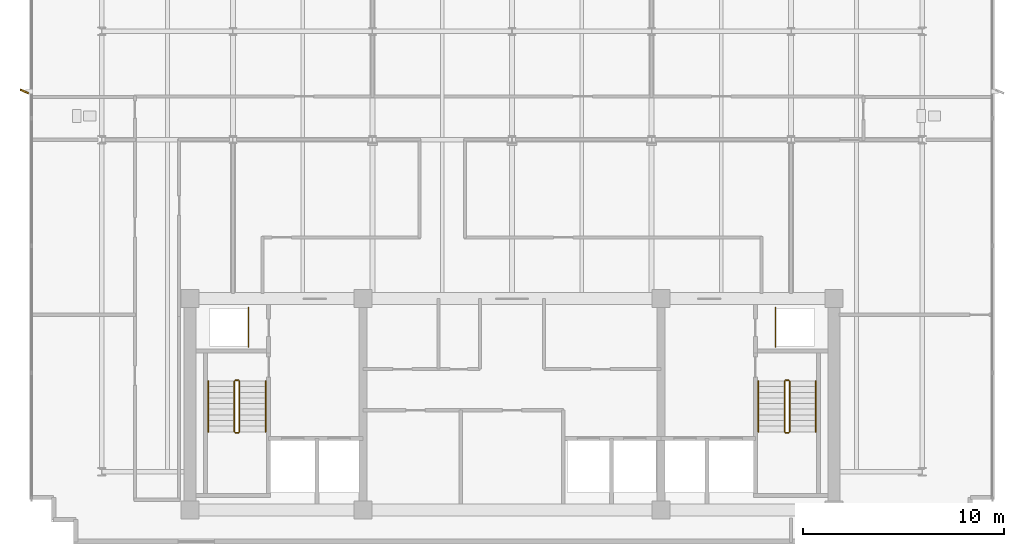
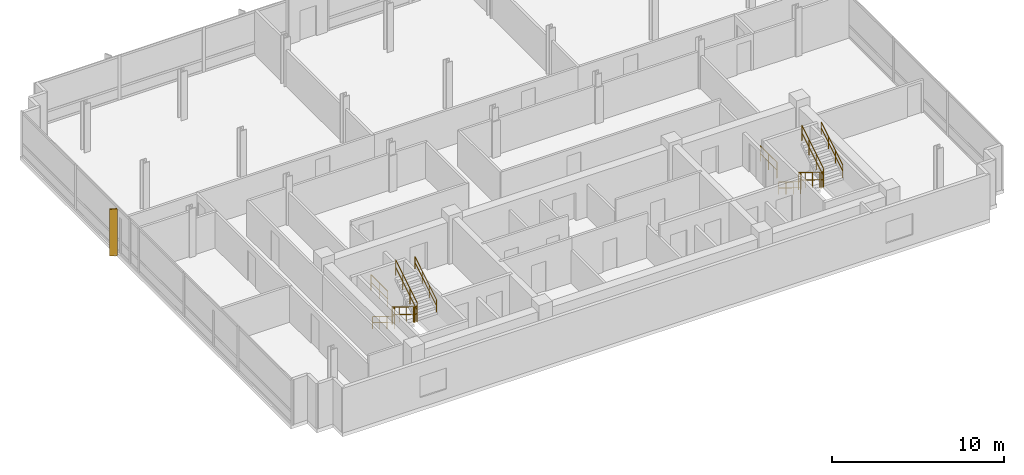
# One storey, part 11 of 13: 14 railings, 1 shading device.
"""IFC4 building model written with IfcOpenShell, lengths in metres."""

from ifc_helpers import new_model, si_unit, direction, frame, origin, origin_2d, place, context, subcontext, project, spatial, rectangle, circle, extrude, material, layer, layer_set, type_object, element, save


model = new_model("IFC4")

# Units and contexts
model_context = context("Model", 3, precision=1e-05, world=origin(), true_north=direction((0.0, 1.0)))
body_context = subcontext(model_context, "Body", "Model", "MODEL_VIEW")
ifc_project = project(units=[si_unit("LENGTHUNIT", "METRE"), si_unit("AREAUNIT", "SQUARE_METRE"), si_unit("VOLUMEUNIT", "CUBIC_METRE"), si_unit("PLANEANGLEUNIT", "RADIAN"), si_unit("MASSUNIT", "GRAM", prefix="KILO")], contexts=[model_context])

# Site, building, storey
site_placement = place(None, origin())
site = spatial("IfcSite", under=ifc_project, at=site_placement, CompositionType="ELEMENT")
building_placement = place(site_placement, origin())
building = spatial("IfcBuilding", under=site, at=building_placement, Name="Solmavex Isthmus Hotel", CompositionType="ELEMENT")
storey_placement = place(building_placement, frame((0.0, 0.0, 276.449951171875)))
storey = spatial("IfcBuildingStorey", under=building, at=storey_placement, Name="L75", CompositionType="ELEMENT", Elevation=276.449951171875)

# Railings
ifc_material_1 = material(Name="Clear low-E laminated glass", Category="glass")
ifc_layer_1 = layer(ifc_material_1, 0.080078125)
ifc_layer_set_1 = layer_set([ifc_layer_1], Name="Clear low-E laminated glass")
railing_type_1 = type_object("IfcRailingType", Name="RAIL-ATRIUM-1120", PredefinedType="BALUSTRADE", material=ifc_layer_set_1)
for number, where, name in (
    (1, (-13.10009765625, -4.89990234375, 0.0), "Guardrail Balustrade L75-RSW-01"),
    (2, (13.10009765625, -4.89990234375, 0.0), "Guardrail Balustrade L75-RSE-01"),
):
    element("IfcRailing", number, at=place(storey_placement, frame(where)), inside=storey, type_object=railing_type_1, Name=name, PredefinedType="BALUSTRADE", context=body_context, shape_type="SweptSolid", body=[
        extrude(circle(Radius=0.02392578125, at=origin_2d()), frame((0.0, 0.0, 1.1259765625), z_axis=(0.0, 1.0, 0.0), x_axis=(-1.0, 0.0, 0.0)), (0.0, 0.0, 1.0), 1.949951171875),
        extrude(circle(Radius=0.02392578125, at=origin_2d()), frame((0.0, 0.0, 0.574951171875), z_axis=(0.0, 1.0, 0.0), x_axis=(-1.0, 0.0, 0.0)), (0.0, 0.0, 1.0), 1.949951171875),
        extrude(circle(Radius=0.02099609375, at=origin_2d()), origin(), (0.0, 0.0, 1.0), 1.101806640625),
        extrude(circle(Radius=0.02099609375, at=origin_2d()), frame((0.0, 0.97509765625, 0.0)), (0.0, 0.0, 1.0), 1.101806640625),
        extrude(circle(Radius=0.02099609375, at=origin_2d()), frame((0.0, 1.949951171875, 0.0)), (0.0, 0.0, 1.0), 1.101806640625),
    ])
ifc_material_2 = material(Name="Stainless steel 316", Category="steel")
ifc_layer_2 = layer(ifc_material_2, 0.06005859375)
ifc_layer_set_2 = layer_set([ifc_layer_2], Name="Stainless steel 316")
railing_type_2 = type_object("IfcRailingType", Name="RAIL-STAIR-GD", PredefinedType="GUARDRAIL", material=ifc_layer_set_2)
railing_1_placement = place(storey_placement, frame((-13.800048828125, -6.60009765625, 0.172607421875)))
element("IfcRailing", 3, at=railing_1_placement, inside=storey, type_object=railing_type_2, Name="L75 ST-1 stair guard 1", PredefinedType="GUARDRAIL", context=body_context, shape_type="SweptSolid", body=[
    extrude(circle(Radius=0.02392578125, at=origin_2d()), frame((0.0, 0.0, 1.09619140625), z_axis=(0.0, -0.851400495292, 0.524516154772), x_axis=(1.0, 0.0, 0.0)), (0.0, 0.0, 1.0), 2.9599609375),
    extrude(circle(Radius=0.02392578125, at=origin_2d()), frame((0.0, 0.0, 0.56005859375), z_axis=(0.0, -0.851400495292, 0.524516154772), x_axis=(1.0, 0.0, 0.0)), (0.0, 0.0, 1.0), 2.9599609375),
    extrude(circle(Radius=0.02099609375, at=origin_2d()), origin(), (0.0, 0.0, 1.0), 1.072021484375),
    extrude(circle(Radius=0.02099609375, at=origin_2d()), frame((0.0, -0.840087890625, 0.517578125)), (0.0, 0.0, 1.0), 1.072021484375),
    extrude(circle(Radius=0.02099609375, at=origin_2d()), frame((0.0, -1.679931640625, 1.034912109375)), (0.0, 0.0, 1.0), 1.072021484375),
    extrude(circle(Radius=0.02099609375, at=origin_2d()), frame((0.0, -2.52001953125, 1.552490234375)), (0.0, 0.0, 1.0), 1.072021484375),
])
railing_2_placement = place(storey_placement, frame((-13.75, -9.169921875, 1.72509765625)))
element("IfcRailing", 4, at=railing_2_placement, inside=storey, type_object=railing_type_2, Name="L75 ST-1 stair guard 2", PredefinedType="GUARDRAIL", context=body_context, shape_type="SweptSolid", body=[
    extrude(circle(Radius=0.02392578125, at=origin_2d()), frame((0.0, 0.0, 1.09619140625), z_axis=(1.0, 0.0, 0.0), x_axis=(0.0, 1.0, 0.0)), (0.0, 0.0, 1.0), 0.14990234375),
    extrude(circle(Radius=0.02392578125, at=origin_2d()), frame((0.0, 0.0, 0.56005859375), z_axis=(1.0, 0.0, 0.0), x_axis=(0.0, 1.0, 0.0)), (0.0, 0.0, 1.0), 0.14990234375),
    extrude(circle(Radius=0.02099609375, at=origin_2d()), origin(), (0.0, 0.0, 1.0), 1.072021484375),
    extrude(circle(Radius=0.02099609375, at=origin_2d()), frame((0.14990234375, 0.0, 0.0)), (0.0, 0.0, 1.0), 1.072021484375),
])
railing_3_placement = place(storey_placement, frame((-13.550048828125, -9.1201171875, 1.8974609375)))
element("IfcRailing", 5, at=railing_3_placement, inside=storey, type_object=railing_type_2, Name="L75 ST-1 stair guard 3", PredefinedType="GUARDRAIL", context=body_context, shape_type="SweptSolid", body=[
    extrude(circle(Radius=0.02392578125, at=origin_2d()), frame((0.0, 0.0, 1.09619140625), z_axis=(0.0, 0.851400495292, 0.524516154772), x_axis=(-1.0, 0.0, 0.0)), (0.0, 0.0, 1.0), 2.9599609375),
    extrude(circle(Radius=0.02392578125, at=origin_2d()), frame((0.0, 0.0, 0.56005859375), z_axis=(0.0, 0.851400495292, 0.524516154772), x_axis=(-1.0, 0.0, 0.0)), (0.0, 0.0, 1.0), 2.9599609375),
    extrude(circle(Radius=0.02099609375, at=origin_2d()), origin(), (0.0, 0.0, 1.0), 1.072021484375),
    extrude(circle(Radius=0.02099609375, at=origin_2d()), frame((0.0, 0.840087890625, 0.517578125)), (0.0, 0.0, 1.0), 1.072021484375),
    extrude(circle(Radius=0.02099609375, at=origin_2d()), frame((0.0, 1.679931640625, 1.034912109375)), (0.0, 0.0, 1.0), 1.072021484375),
    extrude(circle(Radius=0.02099609375, at=origin_2d()), frame((0.0, 2.52001953125, 1.552490234375)), (0.0, 0.0, 1.0), 1.072021484375),
])
railing_4_placement = place(storey_placement, frame((-13.75, -6.550048828125, 0.0)))
element("IfcRailing", 6, at=railing_4_placement, inside=storey, type_object=railing_type_2, Name="L75 ST-1 stair guard 4", PredefinedType="GUARDRAIL", context=body_context, shape_type="SweptSolid", body=[
    extrude(circle(Radius=0.02392578125, at=origin_2d()), frame((0.0, 0.0, 1.09619140625), z_axis=(1.0, 0.0, 0.0), x_axis=(0.0, 1.0, 0.0)), (0.0, 0.0, 1.0), 0.14990234375),
    extrude(circle(Radius=0.02392578125, at=origin_2d()), frame((0.0, 0.0, 0.56005859375), z_axis=(1.0, 0.0, 0.0), x_axis=(0.0, 1.0, 0.0)), (0.0, 0.0, 1.0), 0.14990234375),
    extrude(circle(Radius=0.02099609375, at=origin_2d()), origin(), (0.0, 0.0, 1.0), 1.072021484375),
    extrude(circle(Radius=0.02099609375, at=origin_2d()), frame((0.14990234375, 0.0, 0.0)), (0.0, 0.0, 1.0), 1.072021484375),
])
railing_5_placement = place(storey_placement, frame((13.550048828125, -6.60009765625, 0.172607421875)))
element("IfcRailing", 7, at=railing_5_placement, inside=storey, type_object=railing_type_2, Name="L75 ST-2 stair guard 1", PredefinedType="GUARDRAIL", context=body_context, shape_type="SweptSolid", body=[
    extrude(circle(Radius=0.02392578125, at=origin_2d()), frame((0.0, 0.0, 1.09619140625), z_axis=(0.0, -0.851400495292, 0.524516154772), x_axis=(1.0, 0.0, 0.0)), (0.0, 0.0, 1.0), 2.9599609375),
    extrude(circle(Radius=0.02392578125, at=origin_2d()), frame((0.0, 0.0, 0.56005859375), z_axis=(0.0, -0.851400495292, 0.524516154772), x_axis=(1.0, 0.0, 0.0)), (0.0, 0.0, 1.0), 2.9599609375),
    extrude(circle(Radius=0.02099609375, at=origin_2d()), origin(), (0.0, 0.0, 1.0), 1.072021484375),
    extrude(circle(Radius=0.02099609375, at=origin_2d()), frame((0.0, -0.840087890625, 0.517578125)), (0.0, 0.0, 1.0), 1.072021484375),
    extrude(circle(Radius=0.02099609375, at=origin_2d()), frame((0.0, -1.679931640625, 1.034912109375)), (0.0, 0.0, 1.0), 1.072021484375),
    extrude(circle(Radius=0.02099609375, at=origin_2d()), frame((0.0, -2.52001953125, 1.552490234375)), (0.0, 0.0, 1.0), 1.072021484375),
])
railing_6_placement = place(storey_placement, frame((13.60009765625, -9.169921875, 1.72509765625)))
element("IfcRailing", 8, at=railing_6_placement, inside=storey, type_object=railing_type_2, Name="L75 ST-2 stair guard 2", PredefinedType="GUARDRAIL", context=body_context, shape_type="SweptSolid", body=[
    extrude(circle(Radius=0.02392578125, at=origin_2d()), frame((0.0, 0.0, 1.09619140625), z_axis=(1.0, 0.0, 0.0), x_axis=(0.0, 1.0, 0.0)), (0.0, 0.0, 1.0), 0.14990234375),
    extrude(circle(Radius=0.02392578125, at=origin_2d()), frame((0.0, 0.0, 0.56005859375), z_axis=(1.0, 0.0, 0.0), x_axis=(0.0, 1.0, 0.0)), (0.0, 0.0, 1.0), 0.14990234375),
    extrude(circle(Radius=0.02099609375, at=origin_2d()), origin(), (0.0, 0.0, 1.0), 1.072021484375),
    extrude(circle(Radius=0.02099609375, at=origin_2d()), frame((0.14990234375, 0.0, 0.0)), (0.0, 0.0, 1.0), 1.072021484375),
])
railing_7_placement = place(storey_placement, frame((13.800048828125, -9.1201171875, 1.8974609375)))
element("IfcRailing", 9, at=railing_7_placement, inside=storey, type_object=railing_type_2, Name="L75 ST-2 stair guard 3", PredefinedType="GUARDRAIL", context=body_context, shape_type="SweptSolid", body=[
    extrude(circle(Radius=0.02392578125, at=origin_2d()), frame((0.0, 0.0, 1.09619140625), z_axis=(0.0, 0.851400495292, 0.524516154772), x_axis=(-1.0, 0.0, 0.0)), (0.0, 0.0, 1.0), 2.9599609375),
    extrude(circle(Radius=0.02392578125, at=origin_2d()), frame((0.0, 0.0, 0.56005859375), z_axis=(0.0, 0.851400495292, 0.524516154772), x_axis=(-1.0, 0.0, 0.0)), (0.0, 0.0, 1.0), 2.9599609375),
    extrude(circle(Radius=0.02099609375, at=origin_2d()), origin(), (0.0, 0.0, 1.0), 1.072021484375),
    extrude(circle(Radius=0.02099609375, at=origin_2d()), frame((0.0, 0.840087890625, 0.517578125)), (0.0, 0.0, 1.0), 1.072021484375),
    extrude(circle(Radius=0.02099609375, at=origin_2d()), frame((0.0, 1.679931640625, 1.034912109375)), (0.0, 0.0, 1.0), 1.072021484375),
    extrude(circle(Radius=0.02099609375, at=origin_2d()), frame((0.0, 2.52001953125, 1.552490234375)), (0.0, 0.0, 1.0), 1.072021484375),
])
railing_8_placement = place(storey_placement, frame((13.60009765625, -6.550048828125, 0.0)))
element("IfcRailing", 10, at=railing_8_placement, inside=storey, type_object=railing_type_2, Name="L75 ST-2 stair guard 4", PredefinedType="GUARDRAIL", context=body_context, shape_type="SweptSolid", body=[
    extrude(circle(Radius=0.02392578125, at=origin_2d()), frame((0.0, 0.0, 1.09619140625), z_axis=(1.0, 0.0, 0.0), x_axis=(0.0, 1.0, 0.0)), (0.0, 0.0, 1.0), 0.14990234375),
    extrude(circle(Radius=0.02392578125, at=origin_2d()), frame((0.0, 0.0, 0.56005859375), z_axis=(1.0, 0.0, 0.0), x_axis=(0.0, 1.0, 0.0)), (0.0, 0.0, 1.0), 0.14990234375),
    extrude(circle(Radius=0.02099609375, at=origin_2d()), origin(), (0.0, 0.0, 1.0), 1.072021484375),
    extrude(circle(Radius=0.02099609375, at=origin_2d()), frame((0.14990234375, 0.0, 0.0)), (0.0, 0.0, 1.0), 1.072021484375),
])
ifc_layer_3 = layer(ifc_material_2, 0.050048828125)
ifc_layer_set_3 = layer_set([ifc_layer_3], Name="Stainless steel 316")
railing_type_3 = type_object("IfcRailingType", Name="RAIL-STAIR-HR", PredefinedType="HANDRAIL", material=ifc_layer_set_3)
railing_9_placement = place(storey_placement, frame((-15.10009765625, -6.60009765625, 0.172607421875)))
element("IfcRailing", 11, at=railing_9_placement, inside=storey, type_object=railing_type_3, Name="L75 ST-1 stair handrail 1", PredefinedType="HANDRAIL", context=body_context, shape_type="SweptSolid", body=[
    extrude(circle(Radius=0.02392578125, at=origin_2d()), frame((0.0, 0.0, 0.8759765625), z_axis=(0.0, -0.851400495292, 0.524516154772), x_axis=(1.0, 0.0, 0.0)), (0.0, 0.0, 1.0), 2.9599609375),
    extrude(circle(Radius=0.02392578125, at=origin_2d()), frame((0.0, 0.0, 0.449951171875), z_axis=(0.0, -0.851400495292, 0.524516154772), x_axis=(1.0, 0.0, 0.0)), (0.0, 0.0, 1.0), 2.9599609375),
    extrude(circle(Radius=0.02099609375, at=origin_2d()), origin(), (0.0, 0.0, 1.0), 0.851806640625),
    extrude(circle(Radius=0.02099609375, at=origin_2d()), frame((0.0, -0.840087890625, 0.517578125)), (0.0, 0.0, 1.0), 0.851806640625),
    extrude(circle(Radius=0.02099609375, at=origin_2d()), frame((0.0, -1.679931640625, 1.034912109375)), (0.0, 0.0, 1.0), 0.851806640625),
    extrude(circle(Radius=0.02099609375, at=origin_2d()), frame((0.0, -2.52001953125, 1.552490234375)), (0.0, 0.0, 1.0), 0.851806640625),
])
railing_10_placement = place(storey_placement, frame((-12.25, -9.1201171875, 1.8974609375)))
element("IfcRailing", 12, at=railing_10_placement, inside=storey, type_object=railing_type_3, Name="L75 ST-1 stair handrail 2", PredefinedType="HANDRAIL", context=body_context, shape_type="SweptSolid", body=[
    extrude(circle(Radius=0.02392578125, at=origin_2d()), frame((0.0, 0.0, 0.8759765625), z_axis=(0.0, 0.851400495292, 0.524516154772), x_axis=(-1.0, 0.0, 0.0)), (0.0, 0.0, 1.0), 2.9599609375),
    extrude(circle(Radius=0.02392578125, at=origin_2d()), frame((0.0, 0.0, 0.449951171875), z_axis=(0.0, 0.851400495292, 0.524516154772), x_axis=(-1.0, 0.0, 0.0)), (0.0, 0.0, 1.0), 2.9599609375),
    extrude(circle(Radius=0.02099609375, at=origin_2d()), origin(), (0.0, 0.0, 1.0), 0.851806640625),
    extrude(circle(Radius=0.02099609375, at=origin_2d()), frame((0.0, 0.840087890625, 0.517578125)), (0.0, 0.0, 1.0), 0.851806640625),
    extrude(circle(Radius=0.02099609375, at=origin_2d()), frame((0.0, 1.679931640625, 1.034912109375)), (0.0, 0.0, 1.0), 0.851806640625),
    extrude(circle(Radius=0.02099609375, at=origin_2d()), frame((0.0, 2.52001953125, 1.552490234375)), (0.0, 0.0, 1.0), 0.851806640625),
])
railing_11_placement = place(storey_placement, frame((12.25, -6.60009765625, 0.172607421875)))
element("IfcRailing", 13, at=railing_11_placement, inside=storey, type_object=railing_type_3, Name="L75 ST-2 stair handrail 1", PredefinedType="HANDRAIL", context=body_context, shape_type="SweptSolid", body=[
    extrude(circle(Radius=0.02392578125, at=origin_2d()), frame((0.0, 0.0, 0.8759765625), z_axis=(0.0, -0.851400495292, 0.524516154772), x_axis=(1.0, 0.0, 0.0)), (0.0, 0.0, 1.0), 2.9599609375),
    extrude(circle(Radius=0.02392578125, at=origin_2d()), frame((0.0, 0.0, 0.449951171875), z_axis=(0.0, -0.851400495292, 0.524516154772), x_axis=(1.0, 0.0, 0.0)), (0.0, 0.0, 1.0), 2.9599609375),
    extrude(circle(Radius=0.02099609375, at=origin_2d()), origin(), (0.0, 0.0, 1.0), 0.851806640625),
    extrude(circle(Radius=0.02099609375, at=origin_2d()), frame((0.0, -0.840087890625, 0.517578125)), (0.0, 0.0, 1.0), 0.851806640625),
    extrude(circle(Radius=0.02099609375, at=origin_2d()), frame((0.0, -1.679931640625, 1.034912109375)), (0.0, 0.0, 1.0), 0.851806640625),
    extrude(circle(Radius=0.02099609375, at=origin_2d()), frame((0.0, -2.52001953125, 1.552490234375)), (0.0, 0.0, 1.0), 0.851806640625),
])
railing_12_placement = place(storey_placement, frame((15.10009765625, -9.1201171875, 1.8974609375)))
element("IfcRailing", 14, at=railing_12_placement, inside=storey, type_object=railing_type_3, Name="L75 ST-2 stair handrail 2", PredefinedType="HANDRAIL", context=body_context, shape_type="SweptSolid", body=[
    extrude(circle(Radius=0.02392578125, at=origin_2d()), frame((0.0, 0.0, 0.8759765625), z_axis=(0.0, 0.851400495292, 0.524516154772), x_axis=(-1.0, 0.0, 0.0)), (0.0, 0.0, 1.0), 2.9599609375),
    extrude(circle(Radius=0.02392578125, at=origin_2d()), frame((0.0, 0.0, 0.449951171875), z_axis=(0.0, 0.851400495292, 0.524516154772), x_axis=(-1.0, 0.0, 0.0)), (0.0, 0.0, 1.0), 2.9599609375),
    extrude(circle(Radius=0.02099609375, at=origin_2d()), origin(), (0.0, 0.0, 1.0), 0.851806640625),
    extrude(circle(Radius=0.02099609375, at=origin_2d()), frame((0.0, 0.840087890625, 0.517578125)), (0.0, 0.0, 1.0), 0.851806640625),
    extrude(circle(Radius=0.02099609375, at=origin_2d()), frame((0.0, 1.679931640625, 1.034912109375)), (0.0, 0.0, 1.0), 0.851806640625),
    extrude(circle(Radius=0.02099609375, at=origin_2d()), frame((0.0, 2.52001953125, 1.552490234375)), (0.0, 0.0, 1.0), 0.851806640625),
])

# Shading device
ifc_material_3 = material(Name="Aluminium alloy 6063-T6", Category="aluminium")
shading_device_type = type_object("IfcShadingDeviceType", Name="SHD-FIN-BRONZE", PredefinedType="USERDEFINED", material=ifc_material_3)
shading_device_placement = place(storey_placement, frame((-24.239990234375, 7.800048828125, -0.139892578125), z_axis=(0.0, 0.0, 1.0), x_axis=(-0.913545457643, 0.406736643076, 0.0)))
element("IfcShadingDevice", 15, at=shading_device_placement, inside=storey, type_object=shading_device_type, Name="Anodised Aluminium Solar Fin L75-W1", ObjectType="SOLAR_FIN", PredefinedType="USERDEFINED", context=body_context, shape_type="SweptSolid", body=[
    extrude(rectangle(XDim=0.449951171875, YDim=0.080078125, at=origin_2d()), origin(), (0.0, 0.0, 1.0), 3.330078125),
])

save(model, "model.ifc")
